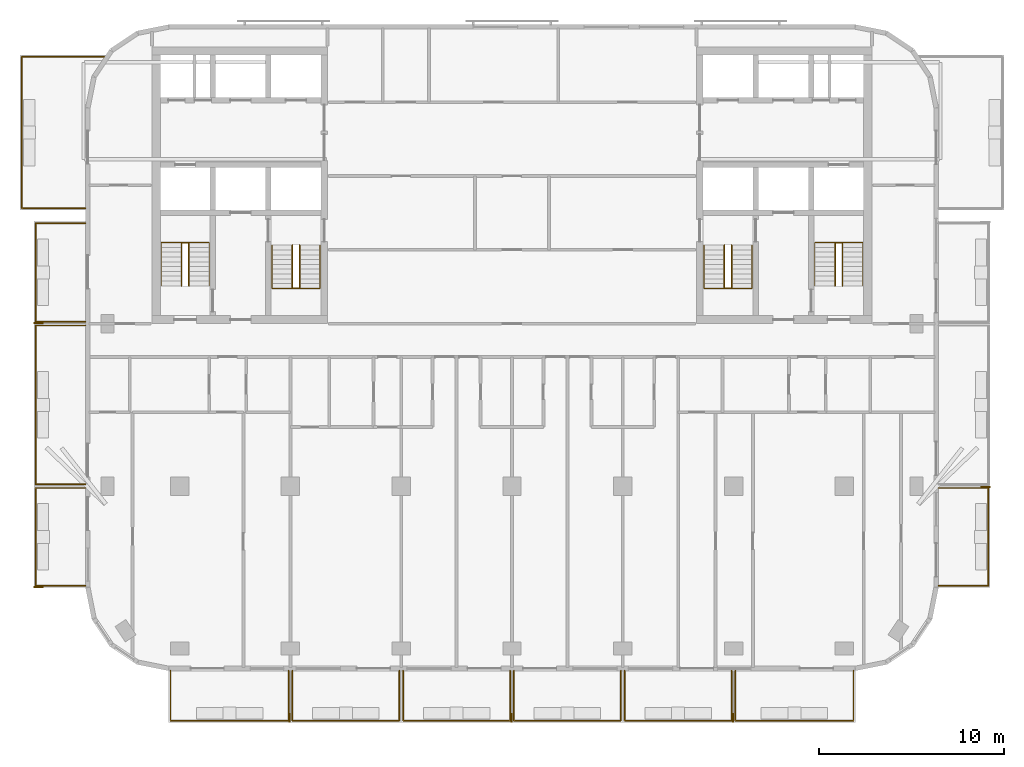
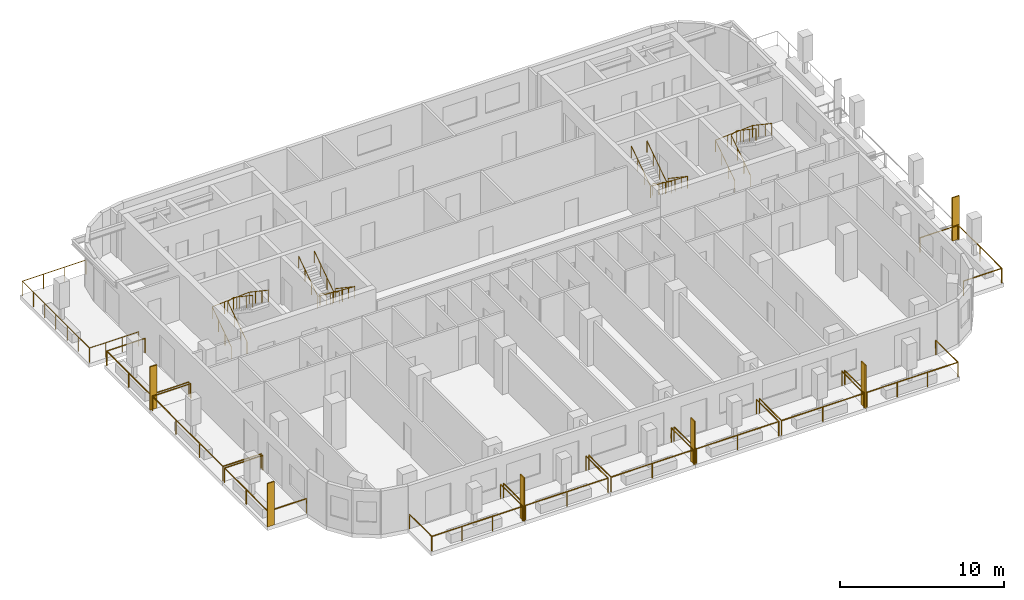
# One storey, part 9 of 11: 19 railings, 6 shading devices.
"""IFC4 building model written with IfcOpenShell, lengths in metres."""

from ifc_helpers import new_model, si_unit, direction, frame, origin, origin_2d, place, context, subcontext, project, spatial, rectangle, circle, extrude, material, layer, layer_set, type_object, element, save


model = new_model("IFC4")

# Units and contexts
model_context = context("Model", 3, precision=1e-05, world=origin(), true_north=direction((0.0, 1.0)))
body_context = subcontext(model_context, "Body", "Model", "MODEL_VIEW")
ifc_project = project(units=[si_unit("LENGTHUNIT", "METRE"), si_unit("AREAUNIT", "SQUARE_METRE"), si_unit("VOLUMEUNIT", "CUBIC_METRE"), si_unit("PLANEANGLEUNIT", "RADIAN"), si_unit("MASSUNIT", "GRAM", prefix="KILO")], contexts=[model_context])

# Site, building, storey
site_placement = place(None, origin())
site = spatial("IfcSite", under=ifc_project, at=site_placement, CompositionType="ELEMENT")
building_placement = place(site_placement, origin())
building = spatial("IfcBuilding", under=site, at=building_placement, Name="Torana Hotel and Residences", CompositionType="ELEMENT")
storey_placement = place(building_placement, frame((0.0, 0.0, 252.60009765625)))
storey = spatial("IfcBuildingStorey", under=building, at=storey_placement, Name="L66", CompositionType="ELEMENT", Elevation=252.60009765625)

# Shading devices
ifc_material_1 = material(Name="Black powder coated aluminium", Category="aluminium")
ifc_layer = layer(ifc_material_1, 0.080078125)
ifc_layer_set = layer_set([ifc_layer], Name="FN1 VERTICAL FIN 500x80")
shading_device_type = type_object("IfcShadingDeviceType", Name="FN1 VERTICAL FIN 500x80", PredefinedType="USERDEFINED", material=ifc_layer_set)
for number, where, z_axis, x_axis, name in (
    (1, (-12.0400390625, -36.35009765625, 0.0), (0.0, 0.0, 1.0), (-1.0, 0.0, 0.0), "Fin 01"),
    (2, (-0.0400390625, -36.35009765625, 0.0), (0.0, 0.0, 1.0), (-1.0, 0.0, 0.0), "Fin 03"),
    (3, (11.9599609375, -36.35009765625, 0.0), (0.0, 0.0, 1.0), (-1.0, 0.0, 0.0), "Fin 05"),
    (4, (-25.64990234375, -29.260009765625, 0.0), (0.0, 0.0, 1.0), (0.0, 1.0, 0.0), "Fin 07"),
    (5, (-25.64990234375, -14.9599609375, 0.0), (0.0, 0.0, 1.0), (0.0, 1.0, 0.0), "Fin 09"),
    (6, (25.64990234375, -23.840087890625, 0.0), (0.0, 0.0, 1.0), (0.0, -1.0, 0.0), "Fin 11"),
):
    element("IfcShadingDevice", number, at=place(storey_placement, frame(where, z_axis=z_axis, x_axis=x_axis)), inside=storey, type_object=shading_device_type, Name=name, ObjectType="FIN", PredefinedType="USERDEFINED", context=body_context, shape_type="SweptSolid", body=[
        extrude(rectangle(XDim=0.080078125, YDim=0.5, at=origin_2d()), origin(), (0.0, 0.0, 1.0), 3.219970703125),
    ])

# Railings
ifc_material_2 = material(Name="Laminated glass balustrade with black handrail", Category="glass")
railing_type_1 = type_object("IfcRailingType", Name="GR1 BALCONY GUARD 1100 GLASS", PredefinedType="GUARDRAIL", material=ifc_material_2)
railing_1_placement = place(storey_placement, frame((-12.10009765625, -33.800048828125, 0.0)))
element("IfcRailing", 7, at=railing_1_placement, inside=storey, type_object=railing_type_1, Name="Balcony guard 01", PredefinedType="GUARDRAIL", context=body_context, shape_type="SweptSolid", body=[
    extrude(circle(Radius=0.02392578125, at=origin_2d()), frame((0.0, 0.0, 1.076171875), z_axis=(0.0, -1.0, 0.0), x_axis=(1.0, 0.0, 0.0)), (0.0, 0.0, 1.0), 2.699951171875),
    extrude(circle(Radius=0.02392578125, at=origin_2d()), frame((0.0, -2.699951171875, 1.076171875), z_axis=(-1.0, 0.0, 0.0), x_axis=(0.0, -1.0, 0.0)), (0.0, 0.0, 1.0), 6.39990234375),
    extrude(circle(Radius=0.02392578125, at=origin_2d()), frame((-6.39990234375, -2.699951171875, 1.076171875), z_axis=(0.0, 1.0, 0.0), x_axis=(-1.0, 0.0, 0.0)), (0.0, 0.0, 1.0), 2.699951171875),
    extrude(circle(Radius=0.02099609375, at=origin_2d()), origin(), (0.0, 0.0, 1.0), 1.052001953125),
    extrude(circle(Radius=0.02099609375, at=origin_2d()), frame((0.0, -2.699951171875, 0.0)), (0.0, 0.0, 1.0), 1.052001953125),
    extrude(circle(Radius=0.02099609375, at=origin_2d()), frame((-2.13330078125, -2.699951171875, 0.0)), (0.0, 0.0, 1.0), 1.052001953125),
    extrude(circle(Radius=0.02099609375, at=origin_2d()), frame((-4.2666015625, -2.699951171875, 0.0)), (0.0, 0.0, 1.0), 1.052001953125),
    extrude(circle(Radius=0.02099609375, at=origin_2d()), frame((-6.39990234375, -2.699951171875, 0.0)), (0.0, 0.0, 1.0), 1.052001953125),
    extrude(circle(Radius=0.02099609375, at=origin_2d()), frame((-6.39990234375, 0.0, 0.0)), (0.0, 0.0, 1.0), 1.052001953125),
])
for number, where, name in (
    (8, (-6.10009765625, -33.800048828125, 0.0), "Balcony guard 02"),
    (9, (-0.10009765625, -33.800048828125, 0.0), "Balcony guard 03"),
    (10, (5.89990234375, -33.800048828125, 0.0), "Balcony guard 04"),
    (11, (11.89990234375, -33.800048828125, 0.0), "Balcony guard 05"),
):
    element("IfcRailing", number, at=place(storey_placement, frame(where)), inside=storey, type_object=railing_type_1, Name=name, PredefinedType="GUARDRAIL", context=body_context, shape_type="SweptSolid", body=[
        extrude(circle(Radius=0.02392578125, at=origin_2d()), frame((0.0, 0.0, 1.076171875), z_axis=(0.0, -1.0, 0.0), x_axis=(1.0, 0.0, 0.0)), (0.0, 0.0, 1.0), 2.699951171875),
        extrude(circle(Radius=0.02392578125, at=origin_2d()), frame((0.0, -2.699951171875, 1.076171875), z_axis=(-1.0, 0.0, 0.0), x_axis=(0.0, -1.0, 0.0)), (0.0, 0.0, 1.0), 5.7998046875),
        extrude(circle(Radius=0.02392578125, at=origin_2d()), frame((-5.7998046875, -2.699951171875, 1.076171875), z_axis=(0.0, 1.0, 0.0), x_axis=(-1.0, 0.0, 0.0)), (0.0, 0.0, 1.0), 2.699951171875),
        extrude(circle(Radius=0.02099609375, at=origin_2d()), origin(), (0.0, 0.0, 1.0), 1.052001953125),
        extrude(circle(Radius=0.02099609375, at=origin_2d()), frame((0.0, -2.699951171875, 0.0)), (0.0, 0.0, 1.0), 1.052001953125),
        extrude(circle(Radius=0.02099609375, at=origin_2d()), frame((-2.89990234375, -2.699951171875, 0.0)), (0.0, 0.0, 1.0), 1.052001953125),
        extrude(circle(Radius=0.02099609375, at=origin_2d()), frame((-5.7998046875, -2.699951171875, 0.0)), (0.0, 0.0, 1.0), 1.052001953125),
        extrude(circle(Radius=0.02099609375, at=origin_2d()), frame((-5.7998046875, 0.0, 0.0)), (0.0, 0.0, 1.0), 1.052001953125),
    ])
railing_2_placement = place(storey_placement, frame((18.5, -33.800048828125, 0.0)))
element("IfcRailing", 12, at=railing_2_placement, inside=storey, type_object=railing_type_1, Name="Balcony guard 06", PredefinedType="GUARDRAIL", context=body_context, shape_type="SweptSolid", body=[
    extrude(circle(Radius=0.02392578125, at=origin_2d()), frame((0.0, 0.0, 1.076171875), z_axis=(0.0, -1.0, 0.0), x_axis=(1.0, 0.0, 0.0)), (0.0, 0.0, 1.0), 2.699951171875),
    extrude(circle(Radius=0.02392578125, at=origin_2d()), frame((0.0, -2.699951171875, 1.076171875), z_axis=(-1.0, 0.0, 0.0), x_axis=(0.0, -1.0, 0.0)), (0.0, 0.0, 1.0), 6.39990234375),
    extrude(circle(Radius=0.02392578125, at=origin_2d()), frame((-6.39990234375, -2.699951171875, 1.076171875), z_axis=(0.0, 1.0, 0.0), x_axis=(-1.0, 0.0, 0.0)), (0.0, 0.0, 1.0), 2.699951171875),
    extrude(circle(Radius=0.02099609375, at=origin_2d()), origin(), (0.0, 0.0, 1.0), 1.052001953125),
    extrude(circle(Radius=0.02099609375, at=origin_2d()), frame((0.0, -2.699951171875, 0.0)), (0.0, 0.0, 1.0), 1.052001953125),
    extrude(circle(Radius=0.02099609375, at=origin_2d()), frame((-2.13330078125, -2.699951171875, 0.0)), (0.0, 0.0, 1.0), 1.052001953125),
    extrude(circle(Radius=0.02099609375, at=origin_2d()), frame((-4.2666015625, -2.699951171875, 0.0)), (0.0, 0.0, 1.0), 1.052001953125),
    extrude(circle(Radius=0.02099609375, at=origin_2d()), frame((-6.39990234375, -2.699951171875, 0.0)), (0.0, 0.0, 1.0), 1.052001953125),
    extrude(circle(Radius=0.02099609375, at=origin_2d()), frame((-6.39990234375, 0.0, 0.0)), (0.0, 0.0, 1.0), 1.052001953125),
])
railing_3_placement = place(storey_placement, frame((-23.10009765625, -29.199951171875, 0.0)))
element("IfcRailing", 13, at=railing_3_placement, inside=storey, type_object=railing_type_1, Name="Balcony guard 07", PredefinedType="GUARDRAIL", context=body_context, shape_type="SweptSolid", body=[
    extrude(circle(Radius=0.02392578125, at=origin_2d()), frame((0.0, 0.0, 1.076171875), z_axis=(-1.0, 0.0, 0.0), x_axis=(0.0, -1.0, 0.0)), (0.0, 0.0, 1.0), 2.699951171875),
    extrude(circle(Radius=0.02392578125, at=origin_2d()), frame((-2.699951171875, 0.0, 1.076171875), z_axis=(0.0, 1.0, 0.0), x_axis=(-1.0, 0.0, 0.0)), (0.0, 0.0, 1.0), 5.300048828125),
    extrude(circle(Radius=0.02392578125, at=origin_2d()), frame((-2.699951171875, 5.300048828125, 1.076171875), z_axis=(1.0, 0.0, 0.0), x_axis=(0.0, 1.0, 0.0)), (0.0, 0.0, 1.0), 2.699951171875),
    extrude(circle(Radius=0.02099609375, at=origin_2d()), origin(), (0.0, 0.0, 1.0), 1.052001953125),
    extrude(circle(Radius=0.02099609375, at=origin_2d()), frame((-2.699951171875, 0.0, 0.0)), (0.0, 0.0, 1.0), 1.052001953125),
    extrude(circle(Radius=0.02099609375, at=origin_2d()), frame((-2.699951171875, 2.64990234375, 0.0)), (0.0, 0.0, 1.0), 1.052001953125),
    extrude(circle(Radius=0.02099609375, at=origin_2d()), frame((-2.699951171875, 5.300048828125, 0.0)), (0.0, 0.0, 1.0), 1.052001953125),
    extrude(circle(Radius=0.02099609375, at=origin_2d()), frame((0.0, 5.300048828125, 0.0)), (0.0, 0.0, 1.0), 1.052001953125),
])
railing_4_placement = place(storey_placement, frame((-23.10009765625, -23.699951171875, 0.0)))
element("IfcRailing", 14, at=railing_4_placement, inside=storey, type_object=railing_type_1, Name="Balcony guard 08", PredefinedType="GUARDRAIL", context=body_context, shape_type="SweptSolid", body=[
    extrude(circle(Radius=0.02392578125, at=origin_2d()), frame((0.0, 0.0, 1.076171875), z_axis=(-1.0, 0.0, 0.0), x_axis=(0.0, -1.0, 0.0)), (0.0, 0.0, 1.0), 2.699951171875),
    extrude(circle(Radius=0.02392578125, at=origin_2d()), frame((-2.699951171875, 0.0, 1.076171875), z_axis=(0.0, 1.0, 0.0), x_axis=(-1.0, 0.0, 0.0)), (0.0, 0.0, 1.0), 8.599853515625),
    extrude(circle(Radius=0.02392578125, at=origin_2d()), frame((-2.699951171875, 8.599853515625, 1.076171875), z_axis=(1.0, 0.0, 0.0), x_axis=(0.0, 1.0, 0.0)), (0.0, 0.0, 1.0), 2.699951171875),
    extrude(circle(Radius=0.02099609375, at=origin_2d()), origin(), (0.0, 0.0, 1.0), 1.052001953125),
    extrude(circle(Radius=0.02099609375, at=origin_2d()), frame((-2.699951171875, 0.0, 0.0)), (0.0, 0.0, 1.0), 1.052001953125),
    extrude(circle(Radius=0.02099609375, at=origin_2d()), frame((-2.699951171875, 2.86669921875, 0.0)), (0.0, 0.0, 1.0), 1.052001953125),
    extrude(circle(Radius=0.02099609375, at=origin_2d()), frame((-2.699951171875, 5.733154296875, 0.0)), (0.0, 0.0, 1.0), 1.052001953125),
    extrude(circle(Radius=0.02099609375, at=origin_2d()), frame((-2.699951171875, 8.599853515625, 0.0)), (0.0, 0.0, 1.0), 1.052001953125),
    extrude(circle(Radius=0.02099609375, at=origin_2d()), frame((0.0, 8.599853515625, 0.0)), (0.0, 0.0, 1.0), 1.052001953125),
])
railing_5_placement = place(storey_placement, frame((-23.10009765625, -14.89990234375, 0.0)))
element("IfcRailing", 15, at=railing_5_placement, inside=storey, type_object=railing_type_1, Name="Balcony guard 09", PredefinedType="GUARDRAIL", context=body_context, shape_type="SweptSolid", body=[
    extrude(circle(Radius=0.02392578125, at=origin_2d()), frame((0.0, 0.0, 1.076171875), z_axis=(-1.0, 0.0, 0.0), x_axis=(0.0, -1.0, 0.0)), (0.0, 0.0, 1.0), 2.699951171875),
    extrude(circle(Radius=0.02392578125, at=origin_2d()), frame((-2.699951171875, 0.0, 1.076171875), z_axis=(0.0, 1.0, 0.0), x_axis=(-1.0, 0.0, 0.0)), (0.0, 0.0, 1.0), 5.349853515625),
    extrude(circle(Radius=0.02392578125, at=origin_2d()), frame((-2.699951171875, 5.349853515625, 1.076171875), z_axis=(1.0, 0.0, 0.0), x_axis=(0.0, 1.0, 0.0)), (0.0, 0.0, 1.0), 2.699951171875),
    extrude(circle(Radius=0.02099609375, at=origin_2d()), origin(), (0.0, 0.0, 1.0), 1.052001953125),
    extrude(circle(Radius=0.02099609375, at=origin_2d()), frame((-2.699951171875, 0.0, 0.0)), (0.0, 0.0, 1.0), 1.052001953125),
    extrude(circle(Radius=0.02099609375, at=origin_2d()), frame((-2.699951171875, 2.6748046875, 0.0)), (0.0, 0.0, 1.0), 1.052001953125),
    extrude(circle(Radius=0.02099609375, at=origin_2d()), frame((-2.699951171875, 5.349853515625, 0.0)), (0.0, 0.0, 1.0), 1.052001953125),
    extrude(circle(Radius=0.02099609375, at=origin_2d()), frame((0.0, 5.349853515625, 0.0)), (0.0, 0.0, 1.0), 1.052001953125),
])
railing_6_placement = place(storey_placement, frame((-23.10009765625, -8.75, 0.0)))
element("IfcRailing", 16, at=railing_6_placement, inside=storey, type_object=railing_type_1, Name="Balcony guard 10", PredefinedType="GUARDRAIL", context=body_context, shape_type="SweptSolid", body=[
    extrude(circle(Radius=0.02392578125, at=origin_2d()), frame((0.0, 0.0, 1.076171875), z_axis=(-1.0, 0.0, 0.0), x_axis=(0.0, -1.0, 0.0)), (0.0, 0.0, 1.0), 3.449951171875),
    extrude(circle(Radius=0.02392578125, at=origin_2d()), frame((-3.449951171875, 0.0, 1.076171875), z_axis=(0.0, 1.0, 0.0), x_axis=(-1.0, 0.0, 0.0)), (0.0, 0.0, 1.0), 8.199951171875),
    extrude(circle(Radius=0.02392578125, at=origin_2d()), frame((-3.449951171875, 8.199951171875, 1.076171875), z_axis=(1.0, 0.0, 0.0), x_axis=(0.0, 1.0, 0.0)), (0.0, 0.0, 1.0), 4.479248046875),
    extrude(circle(Radius=0.02099609375, at=origin_2d()), origin(), (0.0, 0.0, 1.0), 1.052001953125),
    extrude(circle(Radius=0.02099609375, at=origin_2d()), frame((-1.14990234375, 0.0, 0.0)), (0.0, 0.0, 1.0), 1.052001953125),
    extrude(circle(Radius=0.02099609375, at=origin_2d()), frame((-2.300048828125, 0.0, 0.0)), (0.0, 0.0, 1.0), 1.052001953125),
    extrude(circle(Radius=0.02099609375, at=origin_2d()), frame((-3.449951171875, 0.0, 0.0)), (0.0, 0.0, 1.0), 1.052001953125),
    extrude(circle(Radius=0.02099609375, at=origin_2d()), frame((-3.449951171875, 1.36669921875, 0.0)), (0.0, 0.0, 1.0), 1.052001953125),
    extrude(circle(Radius=0.02099609375, at=origin_2d()), frame((-3.449951171875, 2.7333984375, 0.0)), (0.0, 0.0, 1.0), 1.052001953125),
    extrude(circle(Radius=0.02099609375, at=origin_2d()), frame((-3.449951171875, 4.10009765625, 0.0)), (0.0, 0.0, 1.0), 1.052001953125),
    extrude(circle(Radius=0.02099609375, at=origin_2d()), frame((-3.449951171875, 5.466552734375, 0.0)), (0.0, 0.0, 1.0), 1.052001953125),
    extrude(circle(Radius=0.02099609375, at=origin_2d()), frame((-3.449951171875, 6.833251953125, 0.0)), (0.0, 0.0, 1.0), 1.052001953125),
    extrude(circle(Radius=0.02099609375, at=origin_2d()), frame((-3.449951171875, 8.199951171875, 0.0)), (0.0, 0.0, 1.0), 1.052001953125),
    extrude(circle(Radius=0.02099609375, at=origin_2d()), frame((-1.956787109375, 8.199951171875, 0.0)), (0.0, 0.0, 1.0), 1.052001953125),
    extrude(circle(Radius=0.02099609375, at=origin_2d()), frame((-0.4638671875, 8.199951171875, 0.0)), (0.0, 0.0, 1.0), 1.052001953125),
    extrude(circle(Radius=0.02099609375, at=origin_2d()), frame((1.029296875, 8.199951171875, 0.0)), (0.0, 0.0, 1.0), 1.052001953125),
])
railing_7_placement = place(storey_placement, frame((23.10009765625, -23.89990234375, 0.0)))
element("IfcRailing", 17, at=railing_7_placement, inside=storey, type_object=railing_type_1, Name="Balcony guard 11", PredefinedType="GUARDRAIL", context=body_context, shape_type="SweptSolid", body=[
    extrude(circle(Radius=0.02392578125, at=origin_2d()), frame((0.0, 0.0, 1.076171875), z_axis=(1.0, 0.0, 0.0), x_axis=(0.0, 1.0, 0.0)), (0.0, 0.0, 1.0), 2.699951171875),
    extrude(circle(Radius=0.02392578125, at=origin_2d()), frame((2.699951171875, 0.0, 1.076171875), z_axis=(0.0, -1.0, 0.0), x_axis=(1.0, 0.0, 0.0)), (0.0, 0.0, 1.0), 5.300048828125),
    extrude(circle(Radius=0.02392578125, at=origin_2d()), frame((2.699951171875, -5.300048828125, 1.076171875), z_axis=(-1.0, 0.0, 0.0), x_axis=(0.0, -1.0, 0.0)), (0.0, 0.0, 1.0), 2.699951171875),
    extrude(circle(Radius=0.02099609375, at=origin_2d()), origin(), (0.0, 0.0, 1.0), 1.052001953125),
    extrude(circle(Radius=0.02099609375, at=origin_2d()), frame((2.699951171875, 0.0, 0.0)), (0.0, 0.0, 1.0), 1.052001953125),
    extrude(circle(Radius=0.02099609375, at=origin_2d()), frame((2.699951171875, -2.64990234375, 0.0)), (0.0, 0.0, 1.0), 1.052001953125),
    extrude(circle(Radius=0.02099609375, at=origin_2d()), frame((2.699951171875, -5.300048828125, 0.0)), (0.0, 0.0, 1.0), 1.052001953125),
    extrude(circle(Radius=0.02099609375, at=origin_2d()), frame((0.0, -5.300048828125, 0.0)), (0.0, 0.0, 1.0), 1.052001953125),
])
ifc_material_3 = material(Name="Stainless steel 316", Category="steel")
railing_type_2 = type_object("IfcRailingType", Name="STAIR HANDRAIL HR1 900", PredefinedType="HANDRAIL", material=ifc_material_3)
railing_8_placement = place(storey_placement, frame((-10.39990234375, -10.75, 0.1748046875)))
element("IfcRailing", 18, at=railing_8_placement, inside=storey, type_object=railing_type_2, Name="Handrail ST1 L66 O1", PredefinedType="HANDRAIL", context=body_context, shape_type="SweptSolid", body=[
    extrude(circle(Radius=0.02392578125, at=origin_2d()), frame((0.0, 0.0, 0.8759765625), z_axis=(0.0, -0.829565388462, 0.558409586474), x_axis=(1.0, 0.0, 0.0)), (0.0, 0.0, 1.0), 2.82080078125),
    extrude(circle(Radius=0.02392578125, at=origin_2d()), frame((0.0, -2.340087890625, 2.451171875), z_axis=(-0.997747692642, 0.0, 0.067078624219), x_axis=(0.0, -1.0, 0.0)), (0.0, 0.0, 1.0), 2.60595703125),
    extrude(circle(Radius=0.02392578125, at=origin_2d()), frame((-2.60009765625, -2.340087890625, 2.6259765625), z_axis=(0.0, 0.829565388462, 0.558409586474), x_axis=(-1.0, 0.0, 0.0)), (0.0, 0.0, 1.0), 2.82080078125),
    extrude(circle(Radius=0.02099609375, at=origin_2d()), origin(), (0.0, 0.0, 1.0), 0.851806640625),
    extrude(circle(Radius=0.02099609375, at=origin_2d()), frame((0.0, -0.780029296875, 0.525146484375)), (0.0, 0.0, 1.0), 0.851806640625),
    extrude(circle(Radius=0.02099609375, at=origin_2d()), frame((0.0, -1.56005859375, 1.050048828125)), (0.0, 0.0, 1.0), 0.851806640625),
    extrude(circle(Radius=0.02099609375, at=origin_2d()), frame((0.0, -2.340087890625, 1.5751953125)), (0.0, 0.0, 1.0), 0.851806640625),
    extrude(circle(Radius=0.02099609375, at=origin_2d()), frame((-0.86669921875, -2.340087890625, 1.633544921875)), (0.0, 0.0, 1.0), 0.851806640625),
    extrude(circle(Radius=0.02099609375, at=origin_2d()), frame((-1.7333984375, -2.340087890625, 1.691650390625)), (0.0, 0.0, 1.0), 0.851806640625),
    extrude(circle(Radius=0.02099609375, at=origin_2d()), frame((-2.60009765625, -2.340087890625, 1.75)), (0.0, 0.0, 1.0), 0.851806640625),
    extrude(circle(Radius=0.02099609375, at=origin_2d()), frame((-2.60009765625, -1.56005859375, 2.275146484375)), (0.0, 0.0, 1.0), 0.851806640625),
    extrude(circle(Radius=0.02099609375, at=origin_2d()), frame((-2.60009765625, -0.780029296875, 2.800048828125)), (0.0, 0.0, 1.0), 0.851806640625),
    extrude(circle(Radius=0.02099609375, at=origin_2d()), frame((-2.60009765625, 0.0, 3.3251953125)), (0.0, 0.0, 1.0), 0.851806640625),
])
railing_9_placement = place(storey_placement, frame((-11.5, -10.75, 0.1748046875)))
element("IfcRailing", 19, at=railing_9_placement, inside=storey, type_object=railing_type_2, Name="Handrail ST1 L66 I1", PredefinedType="HANDRAIL", context=body_context, shape_type="SweptSolid", body=[
    extrude(circle(Radius=0.02392578125, at=origin_2d()), frame((0.0, 0.0, 0.8759765625), z_axis=(0.0, -0.829565388462, 0.558409586474), x_axis=(1.0, 0.0, 0.0)), (0.0, 0.0, 1.0), 2.82080078125),
    extrude(circle(Radius=0.02392578125, at=origin_2d()), frame((0.0, -2.340087890625, 2.451171875), z_axis=(-0.916285673175, 0.0, 0.400525361412), x_axis=(0.0, -1.0, 0.0)), (0.0, 0.0, 1.0), 0.4365234375),
    extrude(circle(Radius=0.02392578125, at=origin_2d()), frame((-0.39990234375, -2.340087890625, 2.6259765625), z_axis=(0.0, 0.829565388462, 0.558409586474), x_axis=(-1.0, 0.0, 0.0)), (0.0, 0.0, 1.0), 2.82080078125),
    extrude(circle(Radius=0.02099609375, at=origin_2d()), origin(), (0.0, 0.0, 1.0), 0.851806640625),
    extrude(circle(Radius=0.02099609375, at=origin_2d()), frame((0.0, -0.780029296875, 0.525146484375)), (0.0, 0.0, 1.0), 0.851806640625),
    extrude(circle(Radius=0.02099609375, at=origin_2d()), frame((0.0, -1.56005859375, 1.050048828125)), (0.0, 0.0, 1.0), 0.851806640625),
    extrude(circle(Radius=0.02099609375, at=origin_2d()), frame((0.0, -2.340087890625, 1.5751953125)), (0.0, 0.0, 1.0), 0.851806640625),
    extrude(circle(Radius=0.02099609375, at=origin_2d()), frame((-0.39990234375, -2.340087890625, 1.75)), (0.0, 0.0, 1.0), 0.851806640625),
    extrude(circle(Radius=0.02099609375, at=origin_2d()), frame((-0.39990234375, -1.56005859375, 2.275146484375)), (0.0, 0.0, 1.0), 0.851806640625),
    extrude(circle(Radius=0.02099609375, at=origin_2d()), frame((-0.39990234375, -0.780029296875, 2.800048828125)), (0.0, 0.0, 1.0), 0.851806640625),
    extrude(circle(Radius=0.02099609375, at=origin_2d()), frame((-0.39990234375, 0.0, 3.3251953125)), (0.0, 0.0, 1.0), 0.851806640625),
])
railing_10_placement = place(storey_placement, frame((-19.0, -12.949951171875, 0.1748046875)))
element("IfcRailing", 20, at=railing_10_placement, inside=storey, type_object=railing_type_2, Name="Handrail ST2 L66 O1", PredefinedType="HANDRAIL", context=body_context, shape_type="SweptSolid", body=[
    extrude(circle(Radius=0.02392578125, at=origin_2d()), frame((0.0, 0.0, 0.8759765625), z_axis=(0.0, 0.829538397957, 0.558449681095), x_axis=(-1.0, 0.0, 0.0)), (0.0, 0.0, 1.0), 2.820556640625),
    extrude(circle(Radius=0.02392578125, at=origin_2d()), frame((0.0, 2.33984375, 2.451171875), z_axis=(0.997747692642, 0.0, 0.067078624219), x_axis=(0.0, 1.0, 0.0)), (0.0, 0.0, 1.0), 2.60595703125),
    extrude(circle(Radius=0.02392578125, at=origin_2d()), frame((2.60009765625, 2.33984375, 2.6259765625), z_axis=(0.0, -0.829538397957, 0.558449681095), x_axis=(1.0, 0.0, 0.0)), (0.0, 0.0, 1.0), 2.820556640625),
    extrude(circle(Radius=0.02099609375, at=origin_2d()), origin(), (0.0, 0.0, 1.0), 0.851806640625),
    extrude(circle(Radius=0.02099609375, at=origin_2d()), frame((0.0, 0.780029296875, 0.525146484375)), (0.0, 0.0, 1.0), 0.851806640625),
    extrude(circle(Radius=0.02099609375, at=origin_2d()), frame((0.0, 1.559814453125, 1.050048828125)), (0.0, 0.0, 1.0), 0.851806640625),
    extrude(circle(Radius=0.02099609375, at=origin_2d()), frame((0.0, 2.33984375, 1.5751953125)), (0.0, 0.0, 1.0), 0.851806640625),
    extrude(circle(Radius=0.02099609375, at=origin_2d()), frame((0.86669921875, 2.33984375, 1.633544921875)), (0.0, 0.0, 1.0), 0.851806640625),
    extrude(circle(Radius=0.02099609375, at=origin_2d()), frame((1.7333984375, 2.33984375, 1.691650390625)), (0.0, 0.0, 1.0), 0.851806640625),
    extrude(circle(Radius=0.02099609375, at=origin_2d()), frame((2.60009765625, 2.33984375, 1.75)), (0.0, 0.0, 1.0), 0.851806640625),
    extrude(circle(Radius=0.02099609375, at=origin_2d()), frame((2.60009765625, 1.559814453125, 2.275146484375)), (0.0, 0.0, 1.0), 0.851806640625),
    extrude(circle(Radius=0.02099609375, at=origin_2d()), frame((2.60009765625, 0.780029296875, 2.800048828125)), (0.0, 0.0, 1.0), 0.851806640625),
    extrude(circle(Radius=0.02099609375, at=origin_2d()), frame((2.60009765625, 0.0, 3.3251953125)), (0.0, 0.0, 1.0), 0.851806640625),
])
railing_11_placement = place(storey_placement, frame((-17.89990234375, -12.949951171875, 0.1748046875)))
element("IfcRailing", 21, at=railing_11_placement, inside=storey, type_object=railing_type_2, Name="Handrail ST2 L66 I1", PredefinedType="HANDRAIL", context=body_context, shape_type="SweptSolid", body=[
    extrude(circle(Radius=0.02392578125, at=origin_2d()), frame((0.0, 0.0, 0.8759765625), z_axis=(0.0, 0.829538397957, 0.558449681095), x_axis=(-1.0, 0.0, 0.0)), (0.0, 0.0, 1.0), 2.820556640625),
    extrude(circle(Radius=0.02392578125, at=origin_2d()), frame((0.0, 2.33984375, 2.451171875), z_axis=(0.916285673175, 0.0, 0.400525361412), x_axis=(0.0, 1.0, 0.0)), (0.0, 0.0, 1.0), 0.4365234375),
    extrude(circle(Radius=0.02392578125, at=origin_2d()), frame((0.39990234375, 2.33984375, 2.6259765625), z_axis=(0.0, -0.829538397957, 0.558449681095), x_axis=(1.0, 0.0, 0.0)), (0.0, 0.0, 1.0), 2.820556640625),
    extrude(circle(Radius=0.02099609375, at=origin_2d()), origin(), (0.0, 0.0, 1.0), 0.851806640625),
    extrude(circle(Radius=0.02099609375, at=origin_2d()), frame((0.0, 0.780029296875, 0.525146484375)), (0.0, 0.0, 1.0), 0.851806640625),
    extrude(circle(Radius=0.02099609375, at=origin_2d()), frame((0.0, 1.559814453125, 1.050048828125)), (0.0, 0.0, 1.0), 0.851806640625),
    extrude(circle(Radius=0.02099609375, at=origin_2d()), frame((0.0, 2.33984375, 1.5751953125)), (0.0, 0.0, 1.0), 0.851806640625),
    extrude(circle(Radius=0.02099609375, at=origin_2d()), frame((0.39990234375, 2.33984375, 1.75)), (0.0, 0.0, 1.0), 0.851806640625),
    extrude(circle(Radius=0.02099609375, at=origin_2d()), frame((0.39990234375, 1.559814453125, 2.275146484375)), (0.0, 0.0, 1.0), 0.851806640625),
    extrude(circle(Radius=0.02099609375, at=origin_2d()), frame((0.39990234375, 0.780029296875, 2.800048828125)), (0.0, 0.0, 1.0), 0.851806640625),
    extrude(circle(Radius=0.02099609375, at=origin_2d()), frame((0.39990234375, 0.0, 3.3251953125)), (0.0, 0.0, 1.0), 0.851806640625),
])
railing_12_placement = place(storey_placement, frame((13.0, -10.75, 0.1748046875)))
element("IfcRailing", 22, at=railing_12_placement, inside=storey, type_object=railing_type_2, Name="Handrail ST3 L66 O1", PredefinedType="HANDRAIL", context=body_context, shape_type="SweptSolid", body=[
    extrude(circle(Radius=0.02392578125, at=origin_2d()), frame((0.0, 0.0, 0.8759765625), z_axis=(0.0, -0.829565388462, 0.558409586474), x_axis=(1.0, 0.0, 0.0)), (0.0, 0.0, 1.0), 2.82080078125),
    extrude(circle(Radius=0.02392578125, at=origin_2d()), frame((0.0, -2.340087890625, 2.451171875), z_axis=(-0.997747692642, 0.0, 0.067078624219), x_axis=(0.0, -1.0, 0.0)), (0.0, 0.0, 1.0), 2.60595703125),
    extrude(circle(Radius=0.02392578125, at=origin_2d()), frame((-2.60009765625, -2.340087890625, 2.6259765625), z_axis=(0.0, 0.829565388462, 0.558409586474), x_axis=(-1.0, 0.0, 0.0)), (0.0, 0.0, 1.0), 2.82080078125),
    extrude(circle(Radius=0.02099609375, at=origin_2d()), origin(), (0.0, 0.0, 1.0), 0.851806640625),
    extrude(circle(Radius=0.02099609375, at=origin_2d()), frame((0.0, -0.780029296875, 0.525146484375)), (0.0, 0.0, 1.0), 0.851806640625),
    extrude(circle(Radius=0.02099609375, at=origin_2d()), frame((0.0, -1.56005859375, 1.050048828125)), (0.0, 0.0, 1.0), 0.851806640625),
    extrude(circle(Radius=0.02099609375, at=origin_2d()), frame((0.0, -2.340087890625, 1.5751953125)), (0.0, 0.0, 1.0), 0.851806640625),
    extrude(circle(Radius=0.02099609375, at=origin_2d()), frame((-0.86669921875, -2.340087890625, 1.633544921875)), (0.0, 0.0, 1.0), 0.851806640625),
    extrude(circle(Radius=0.02099609375, at=origin_2d()), frame((-1.7333984375, -2.340087890625, 1.691650390625)), (0.0, 0.0, 1.0), 0.851806640625),
    extrude(circle(Radius=0.02099609375, at=origin_2d()), frame((-2.60009765625, -2.340087890625, 1.75)), (0.0, 0.0, 1.0), 0.851806640625),
    extrude(circle(Radius=0.02099609375, at=origin_2d()), frame((-2.60009765625, -1.56005859375, 2.275146484375)), (0.0, 0.0, 1.0), 0.851806640625),
    extrude(circle(Radius=0.02099609375, at=origin_2d()), frame((-2.60009765625, -0.780029296875, 2.800048828125)), (0.0, 0.0, 1.0), 0.851806640625),
    extrude(circle(Radius=0.02099609375, at=origin_2d()), frame((-2.60009765625, 0.0, 3.3251953125)), (0.0, 0.0, 1.0), 0.851806640625),
])
railing_13_placement = place(storey_placement, frame((11.89990234375, -10.75, 0.1748046875)))
element("IfcRailing", 23, at=railing_13_placement, inside=storey, type_object=railing_type_2, Name="Handrail ST3 L66 I1", PredefinedType="HANDRAIL", context=body_context, shape_type="SweptSolid", body=[
    extrude(circle(Radius=0.02392578125, at=origin_2d()), frame((0.0, 0.0, 0.8759765625), z_axis=(0.0, -0.829565388462, 0.558409586474), x_axis=(1.0, 0.0, 0.0)), (0.0, 0.0, 1.0), 2.82080078125),
    extrude(circle(Radius=0.02392578125, at=origin_2d()), frame((0.0, -2.340087890625, 2.451171875), z_axis=(-0.916285673175, 0.0, 0.400525361412), x_axis=(0.0, -1.0, 0.0)), (0.0, 0.0, 1.0), 0.4365234375),
    extrude(circle(Radius=0.02392578125, at=origin_2d()), frame((-0.39990234375, -2.340087890625, 2.6259765625), z_axis=(0.0, 0.829565388462, 0.558409586474), x_axis=(-1.0, 0.0, 0.0)), (0.0, 0.0, 1.0), 2.82080078125),
    extrude(circle(Radius=0.02099609375, at=origin_2d()), origin(), (0.0, 0.0, 1.0), 0.851806640625),
    extrude(circle(Radius=0.02099609375, at=origin_2d()), frame((0.0, -0.780029296875, 0.525146484375)), (0.0, 0.0, 1.0), 0.851806640625),
    extrude(circle(Radius=0.02099609375, at=origin_2d()), frame((0.0, -1.56005859375, 1.050048828125)), (0.0, 0.0, 1.0), 0.851806640625),
    extrude(circle(Radius=0.02099609375, at=origin_2d()), frame((0.0, -2.340087890625, 1.5751953125)), (0.0, 0.0, 1.0), 0.851806640625),
    extrude(circle(Radius=0.02099609375, at=origin_2d()), frame((-0.39990234375, -2.340087890625, 1.75)), (0.0, 0.0, 1.0), 0.851806640625),
    extrude(circle(Radius=0.02099609375, at=origin_2d()), frame((-0.39990234375, -1.56005859375, 2.275146484375)), (0.0, 0.0, 1.0), 0.851806640625),
    extrude(circle(Radius=0.02099609375, at=origin_2d()), frame((-0.39990234375, -0.780029296875, 2.800048828125)), (0.0, 0.0, 1.0), 0.851806640625),
    extrude(circle(Radius=0.02099609375, at=origin_2d()), frame((-0.39990234375, 0.0, 3.3251953125)), (0.0, 0.0, 1.0), 0.851806640625),
])
railing_14_placement = place(storey_placement, frame((16.39990234375, -12.949951171875, 0.1748046875)))
element("IfcRailing", 24, at=railing_14_placement, inside=storey, type_object=railing_type_2, Name="Handrail ST4 L66 O1", PredefinedType="HANDRAIL", context=body_context, shape_type="SweptSolid", body=[
    extrude(circle(Radius=0.02392578125, at=origin_2d()), frame((0.0, 0.0, 0.8759765625), z_axis=(0.0, 0.829538397957, 0.558449681095), x_axis=(-1.0, 0.0, 0.0)), (0.0, 0.0, 1.0), 2.820556640625),
    extrude(circle(Radius=0.02392578125, at=origin_2d()), frame((0.0, 2.33984375, 2.451171875), z_axis=(0.997747692642, 0.0, 0.067078624219), x_axis=(0.0, 1.0, 0.0)), (0.0, 0.0, 1.0), 2.60595703125),
    extrude(circle(Radius=0.02392578125, at=origin_2d()), frame((2.60009765625, 2.33984375, 2.6259765625), z_axis=(0.0, -0.829538397957, 0.558449681095), x_axis=(1.0, 0.0, 0.0)), (0.0, 0.0, 1.0), 2.820556640625),
    extrude(circle(Radius=0.02099609375, at=origin_2d()), origin(), (0.0, 0.0, 1.0), 0.851806640625),
    extrude(circle(Radius=0.02099609375, at=origin_2d()), frame((0.0, 0.780029296875, 0.525146484375)), (0.0, 0.0, 1.0), 0.851806640625),
    extrude(circle(Radius=0.02099609375, at=origin_2d()), frame((0.0, 1.559814453125, 1.050048828125)), (0.0, 0.0, 1.0), 0.851806640625),
    extrude(circle(Radius=0.02099609375, at=origin_2d()), frame((0.0, 2.33984375, 1.5751953125)), (0.0, 0.0, 1.0), 0.851806640625),
    extrude(circle(Radius=0.02099609375, at=origin_2d()), frame((0.86669921875, 2.33984375, 1.633544921875)), (0.0, 0.0, 1.0), 0.851806640625),
    extrude(circle(Radius=0.02099609375, at=origin_2d()), frame((1.7333984375, 2.33984375, 1.691650390625)), (0.0, 0.0, 1.0), 0.851806640625),
    extrude(circle(Radius=0.02099609375, at=origin_2d()), frame((2.60009765625, 2.33984375, 1.75)), (0.0, 0.0, 1.0), 0.851806640625),
    extrude(circle(Radius=0.02099609375, at=origin_2d()), frame((2.60009765625, 1.559814453125, 2.275146484375)), (0.0, 0.0, 1.0), 0.851806640625),
    extrude(circle(Radius=0.02099609375, at=origin_2d()), frame((2.60009765625, 0.780029296875, 2.800048828125)), (0.0, 0.0, 1.0), 0.851806640625),
    extrude(circle(Radius=0.02099609375, at=origin_2d()), frame((2.60009765625, 0.0, 3.3251953125)), (0.0, 0.0, 1.0), 0.851806640625),
])
railing_15_placement = place(storey_placement, frame((17.5, -12.949951171875, 0.1748046875)))
element("IfcRailing", 25, at=railing_15_placement, inside=storey, type_object=railing_type_2, Name="Handrail ST4 L66 I1", PredefinedType="HANDRAIL", context=body_context, shape_type="SweptSolid", body=[
    extrude(circle(Radius=0.02392578125, at=origin_2d()), frame((0.0, 0.0, 0.8759765625), z_axis=(0.0, 0.829538397957, 0.558449681095), x_axis=(-1.0, 0.0, 0.0)), (0.0, 0.0, 1.0), 2.820556640625),
    extrude(circle(Radius=0.02392578125, at=origin_2d()), frame((0.0, 2.33984375, 2.451171875), z_axis=(0.916285673175, 0.0, 0.400525361412), x_axis=(0.0, 1.0, 0.0)), (0.0, 0.0, 1.0), 0.4365234375),
    extrude(circle(Radius=0.02392578125, at=origin_2d()), frame((0.39990234375, 2.33984375, 2.6259765625), z_axis=(0.0, -0.829538397957, 0.558449681095), x_axis=(1.0, 0.0, 0.0)), (0.0, 0.0, 1.0), 2.820556640625),
    extrude(circle(Radius=0.02099609375, at=origin_2d()), origin(), (0.0, 0.0, 1.0), 0.851806640625),
    extrude(circle(Radius=0.02099609375, at=origin_2d()), frame((0.0, 0.780029296875, 0.525146484375)), (0.0, 0.0, 1.0), 0.851806640625),
    extrude(circle(Radius=0.02099609375, at=origin_2d()), frame((0.0, 1.559814453125, 1.050048828125)), (0.0, 0.0, 1.0), 0.851806640625),
    extrude(circle(Radius=0.02099609375, at=origin_2d()), frame((0.0, 2.33984375, 1.5751953125)), (0.0, 0.0, 1.0), 0.851806640625),
    extrude(circle(Radius=0.02099609375, at=origin_2d()), frame((0.39990234375, 2.33984375, 1.75)), (0.0, 0.0, 1.0), 0.851806640625),
    extrude(circle(Radius=0.02099609375, at=origin_2d()), frame((0.39990234375, 1.559814453125, 2.275146484375)), (0.0, 0.0, 1.0), 0.851806640625),
    extrude(circle(Radius=0.02099609375, at=origin_2d()), frame((0.39990234375, 0.780029296875, 2.800048828125)), (0.0, 0.0, 1.0), 0.851806640625),
    extrude(circle(Radius=0.02099609375, at=origin_2d()), frame((0.39990234375, 0.0, 3.3251953125)), (0.0, 0.0, 1.0), 0.851806640625),
])

save(model, "model.ifc")
